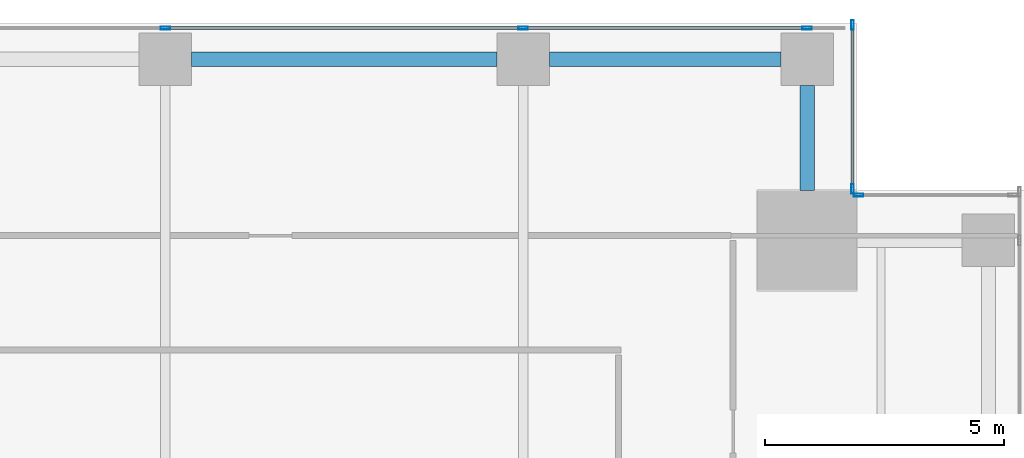
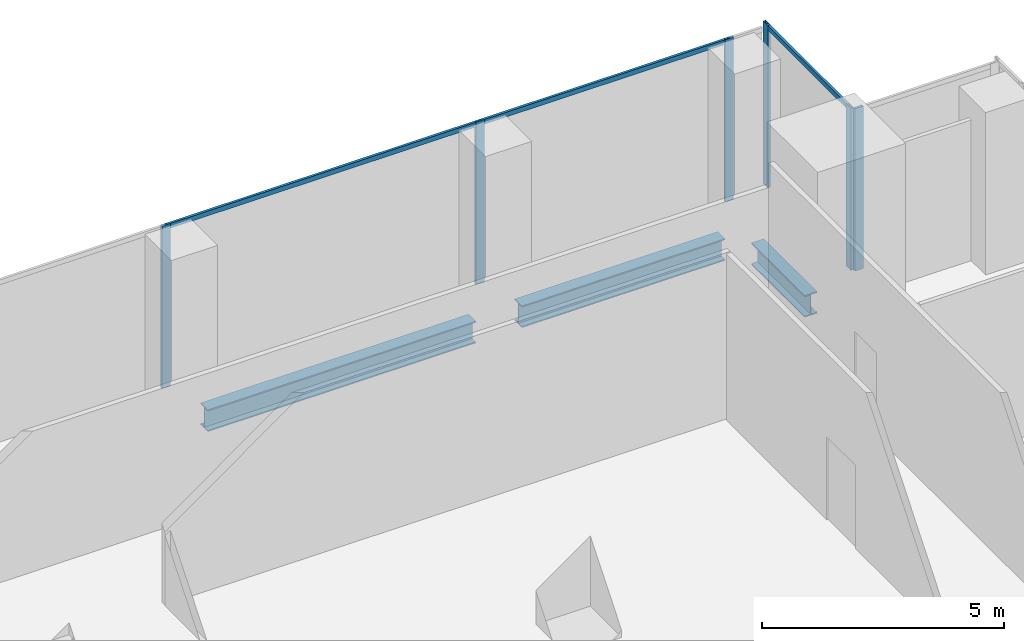
# One storey, part 21 of 35: 9 members, 3 beams, 3 elements without a shape of their own.
"""IFC4 building model written with IfcOpenShell, lengths in metres."""

from ifc_helpers import new_model, si_unit, direction, frame, origin, origin_2d, place, context, subcontext, project, spatial, hollow_rectangle, i_section, extrude, source, transform, mapped, material, material_profile, profile_set, type_object, element, aggregate, save


model = new_model("IFC4")

# Units and contexts
model_context = context("Model", 3, precision=1e-05, world=origin(), true_north=direction((0.0, 1.0)))
body_context = subcontext(model_context, "Body", "Model", "MODEL_VIEW")
ifc_project = project(units=[si_unit("LENGTHUNIT", "METRE"), si_unit("AREAUNIT", "SQUARE_METRE"), si_unit("VOLUMEUNIT", "CUBIC_METRE"), si_unit("PLANEANGLEUNIT", "RADIAN"), si_unit("MASSUNIT", "GRAM", prefix="KILO")], contexts=[model_context])

# Site, building, storey
site_placement = place(None, origin())
site = spatial("IfcSite", under=ifc_project, at=site_placement, CompositionType="ELEMENT")
building_placement = place(site_placement, origin())
building = spatial("IfcBuilding", under=site, at=building_placement, Name="Khomas Fold Tower", CompositionType="ELEMENT")
storey_placement = place(building_placement, frame((0.0, 0.0, 132.300048828125)))
storey = spatial("IfcBuildingStorey", under=building, at=storey_placement, Name="L28", CompositionType="ELEMENT", Elevation=132.300048828125)

# Beams
ifc_material_1 = material(Name="Steel S355", Category="steel")
ifc_material_profile_1 = material_profile(ifc_material_1, i_section(OverallWidth=0.300048828125, OverallDepth=0.550048828125, WebThickness=0.014892578125, FlangeThickness=0.029052734375, at=origin_2d()), Name="HE 550 B")
ifc_profile_set_1 = profile_set([ifc_material_profile_1], Name="Steel S355")
beam_type = type_object("IfcBeamType", Name="HE 550 B spandrel SB2", PredefinedType="SPANDREL", material=ifc_profile_set_1)
shared_shape_1 = source(origin(), body_context, "Body", "SweptSolid", [
    extrude(i_section(OverallWidth=0.300048828125, OverallDepth=0.550048828125, WebThickness=0.014892578125, FlangeThickness=0.029052734375, at=origin_2d()), origin(), (0.0, 0.0, 1.0), 4.849853515625),
])
beam_1_placement = place(storey_placement, frame((42.550048828125, 51.75, -0.574951171875), z_axis=(1.0, 0.0, 0.0), x_axis=(0.0, 1.0, 0.0)))
element("IfcBeam", 1, at=beam_1_placement, inside=storey, type_object=beam_type, Name="SB2", PredefinedType="SPANDREL", context=body_context, shape_type="MappedRepresentation", body=[
    mapped(shared_shape_1, transform((0.0, 0.0, 0.0))),
])
shared_shape_2 = source(origin(), body_context, "Body", "SweptSolid", [
    extrude(i_section(OverallWidth=0.300048828125, OverallDepth=0.550048828125, WebThickness=0.014892578125, FlangeThickness=0.029052734375, at=origin_2d()), origin(), (0.0, 0.0, 1.0), 6.39990234375),
])
beam_2_placement = place(storey_placement, frame((35.050048828125, 51.75, -0.574951171875), z_axis=(1.0, 0.0, 0.0), x_axis=(0.0, 1.0, 0.0)))
element("IfcBeam", 2, at=beam_2_placement, inside=storey, type_object=beam_type, Name="SB2", PredefinedType="SPANDREL", context=body_context, shape_type="MappedRepresentation", body=[
    mapped(shared_shape_2, transform((0.0, 0.0, 0.0))),
])
shared_shape_3 = source(origin(), body_context, "Body", "SweptSolid", [
    extrude(i_section(OverallWidth=0.300048828125, OverallDepth=0.550048828125, WebThickness=0.014892578125, FlangeThickness=0.029052734375, at=origin_2d()), origin(), (0.0, 0.0, 1.0), 2.199951171875),
])
beam_3_placement = place(storey_placement, frame((47.949951171875, 49.0, -0.574951171875), z_axis=(0.0, 1.0, 0.0), x_axis=(-1.0, 0.0, 0.0)))
element("IfcBeam", 3, at=beam_3_placement, inside=storey, type_object=beam_type, Name="SB2", PredefinedType="SPANDREL", context=body_context, shape_type="MappedRepresentation", body=[
    mapped(shared_shape_3, transform((0.0, 0.0, 0.0))),
])

# Curtain wall, members
ifc_material_2 = material(Name="Aluminium framed double glazing", Category="aluminium")
curtain_wall_type = type_object("IfcCurtainWallType", Name="SK-Unitised clear-glass wall, growing floors CW1", PredefinedType="NOTDEFINED", material=ifc_material_2)
curtain_wall_1_placement = place(storey_placement, origin())
curtain_wall_1 = element("IfcCurtainWall", 4, at=curtain_wall_1_placement, inside=storey, type_object=curtain_wall_type, Name="CW1 run L28 06-0", PredefinedType="NOTDEFINED")
ifc_material_3 = material(Name="Aluminium", Category="aluminium")
ifc_material_profile_2 = material_profile(ifc_material_3, hollow_rectangle(XDim=0.06005859375, YDim=0.1201171875, WallThickness=0.00390625, at=origin_2d()), Name="SK-Unitised clear-glass wall, growing floors transom CW1-T")
ifc_profile_set_2 = profile_set([ifc_material_profile_2], Name="Aluminium")
member_type_1 = type_object("IfcMemberType", Name="SK-Unitised clear-glass wall, growing floors transom CW1-T", PredefinedType="USERDEFINED", material=ifc_profile_set_2)
shared_shape_4 = source(origin(), body_context, "Body", "SweptSolid", [
    extrude(hollow_rectangle(XDim=0.06005859375, YDim=0.1201171875, WallThickness=0.00390625, at=origin_2d()), origin(), (0.0, 0.0, 1.0), 7.43994140625),
])
member_1_placement = place(storey_placement, frame((41.969970703125, 52.39990234375, 4.0400390625), z_axis=(-1.0, 0.0, 0.0), x_axis=(0.0, -1.0, 0.0)))
member_1 = element("IfcMember", 5, at=member_1_placement, type_object=member_type_1, Name="CW1 transom 3", ObjectType="TRANSOM", PredefinedType="USERDEFINED", context=body_context, shape_type="MappedRepresentation", body=[
    mapped(shared_shape_4, transform((0.0, 0.0, 0.0))),
])
shared_shape_5 = source(origin(), body_context, "Body", "SweptSolid", [
    extrude(hollow_rectangle(XDim=0.06005859375, YDim=0.1201171875, WallThickness=0.00390625, at=origin_2d()), origin(), (0.0, 0.0, 1.0), 5.889892578125),
])
member_2_placement = place(storey_placement, frame((47.919921875, 52.39990234375, 4.0400390625), z_axis=(-1.0, 0.0, 0.0), x_axis=(0.0, -1.0, 0.0)))
member_2 = element("IfcMember", 6, at=member_2_placement, type_object=member_type_1, Name="CW1 transom 2", ObjectType="TRANSOM", PredefinedType="USERDEFINED", context=body_context, shape_type="MappedRepresentation", body=[
    mapped(shared_shape_5, transform((0.0, 0.0, 0.0))),
])

# Curtain wall, member
curtain_wall_2_placement = place(storey_placement, origin())
curtain_wall_2 = element("IfcCurtainWall", 7, at=curtain_wall_2_placement, inside=storey, type_object=curtain_wall_type, Name="CW1 corner return L28 05", PredefinedType="NOTDEFINED")
shared_shape_6 = source(origin(), body_context, "Body", "SweptSolid", [
    extrude(hollow_rectangle(XDim=0.06005859375, YDim=0.1201171875, WallThickness=0.00390625, at=origin_2d()), origin(), (0.0, 0.0, 1.0), 3.3798828125),
])
member_3_placement = place(storey_placement, frame((48.89990234375, 49.06005859375, 4.0400390625), z_axis=(0.0, 1.0, 0.0), x_axis=(-1.0, 0.0, 0.0)))
member_3 = element("IfcMember", 8, at=member_3_placement, type_object=member_type_1, Name="CW1 transom 1", ObjectType="TRANSOM", PredefinedType="USERDEFINED", context=body_context, shape_type="MappedRepresentation", body=[
    mapped(shared_shape_6, transform((0.0, 0.0, 0.0))),
])

curtain_wall_3_placement = place(storey_placement, origin())
curtain_wall_3 = element("IfcCurtainWall", 9, at=curtain_wall_3_placement, inside=storey, type_object=curtain_wall_type, Name="CW1 corner return L28 04", PredefinedType="NOTDEFINED")
ifc_material_4 = material(Name="Aluminium", Category="aluminium")
ifc_material_profile_3 = material_profile(ifc_material_4, hollow_rectangle(XDim=0.06005859375, YDim=0.199951171875, WallThickness=0.00390625, at=origin_2d()), Name="SK-Unitised clear-glass wall, growing floors mullion CW1-M")
ifc_profile_set_3 = profile_set([ifc_material_profile_3], Name="Aluminium")
member_type_2 = type_object("IfcMemberType", Name="SK-Unitised clear-glass wall, growing floors mullion CW1-M", PredefinedType="MULLION", material=ifc_profile_set_3)
shared_shape_7 = source(origin(), body_context, "Body", "SweptSolid", [
    extrude(hollow_rectangle(XDim=0.06005859375, YDim=0.199951171875, WallThickness=0.00390625, at=origin_2d()), origin(), (0.0, 0.0, 1.0), 4.099853515625),
])
member_4_placement = place(storey_placement, frame((49.030029296875, 48.89990234375, 0.0), z_axis=(0.0, 0.0, 1.0), x_axis=(0.0, -1.0, 0.0)))
member_4 = element("IfcMember", 10, at=member_4_placement, type_object=member_type_2, Name="CW1 mullion 2", PredefinedType="MULLION", context=body_context, shape_type="MappedRepresentation", body=[
    mapped(shared_shape_7, transform((0.0, 0.0, 0.0))),
])
aggregate(curtain_wall_3, [member_4])

# Member
member_5_placement = place(storey_placement, frame((48.89990234375, 49.030029296875, 0.0), z_axis=(0.0, 0.0, 1.0), x_axis=(-1.0, 0.0, 0.0)))
member_5 = element("IfcMember", 11, at=member_5_placement, type_object=member_type_2, Name="CW1 mullion 1", PredefinedType="MULLION", context=body_context, shape_type="MappedRepresentation", body=[
    mapped(shared_shape_7, transform((0.0, 0.0, 0.0))),
])

member_6_placement = place(storey_placement, frame((48.89990234375, 52.469970703125, 0.0), z_axis=(0.0, 0.0, 1.0), x_axis=(-1.0, 0.0, 0.0)))
member_6 = element("IfcMember", 12, at=member_6_placement, type_object=member_type_2, Name="CW1 mullion 2", PredefinedType="MULLION", context=body_context, shape_type="MappedRepresentation", body=[
    mapped(shared_shape_7, transform((0.0, 0.0, 0.0))),
])

aggregate(curtain_wall_2, [member_5, member_6, member_3])

member_7_placement = place(storey_placement, frame((47.949951171875, 52.39990234375, 0.0), z_axis=(0.0, 0.0, 1.0), x_axis=(0.0, -1.0, 0.0)))
member_7 = element("IfcMember", 13, at=member_7_placement, type_object=member_type_2, Name="CW1 mullion 2", PredefinedType="MULLION", context=body_context, shape_type="MappedRepresentation", body=[
    mapped(shared_shape_7, transform((0.0, 0.0, 0.0))),
])

member_8_placement = place(storey_placement, frame((42.0, 52.39990234375, 0.0), z_axis=(0.0, 0.0, 1.0), x_axis=(0.0, -1.0, 0.0)))
member_8 = element("IfcMember", 14, at=member_8_placement, type_object=member_type_2, Name="CW1 mullion 3", PredefinedType="MULLION", context=body_context, shape_type="MappedRepresentation", body=[
    mapped(shared_shape_7, transform((0.0, 0.0, 0.0))),
])

member_9_placement = place(storey_placement, frame((34.5, 52.39990234375, 0.0), z_axis=(0.0, 0.0, 1.0), x_axis=(0.0, -1.0, 0.0)))
member_9 = element("IfcMember", 15, at=member_9_placement, type_object=member_type_2, Name="CW1 mullion 4", PredefinedType="MULLION", context=body_context, shape_type="MappedRepresentation", body=[
    mapped(shared_shape_7, transform((0.0, 0.0, 0.0))),
])

aggregate(curtain_wall_1, [member_7, member_8, member_9, member_2, member_1])

save(model, "model.ifc")
